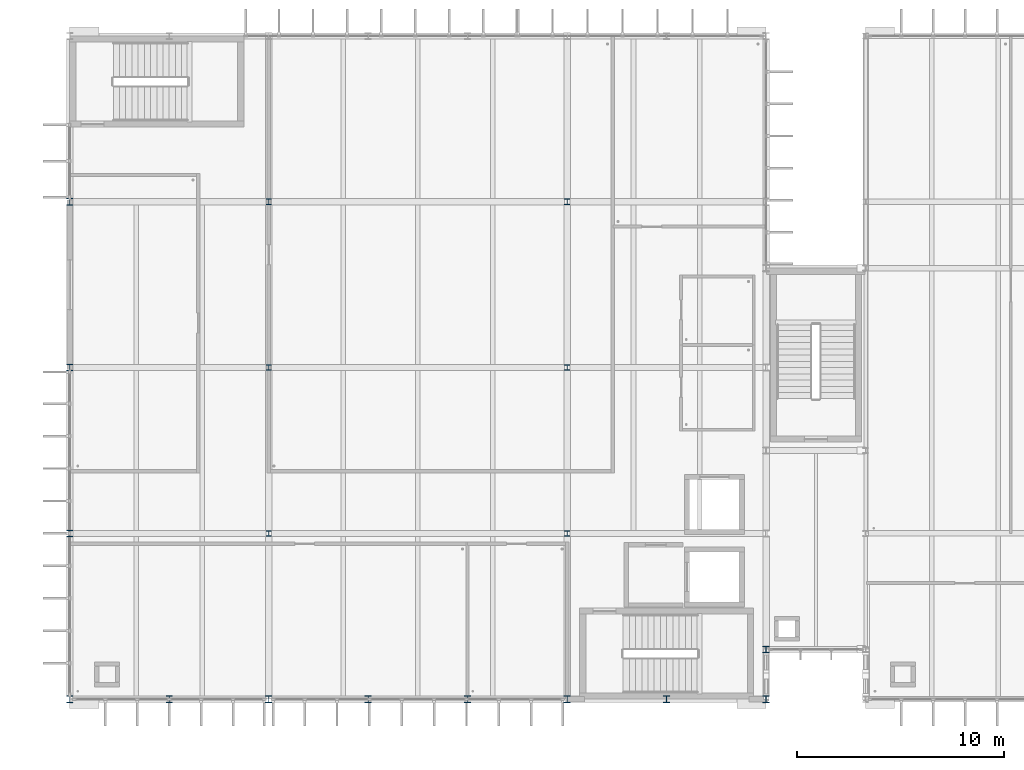
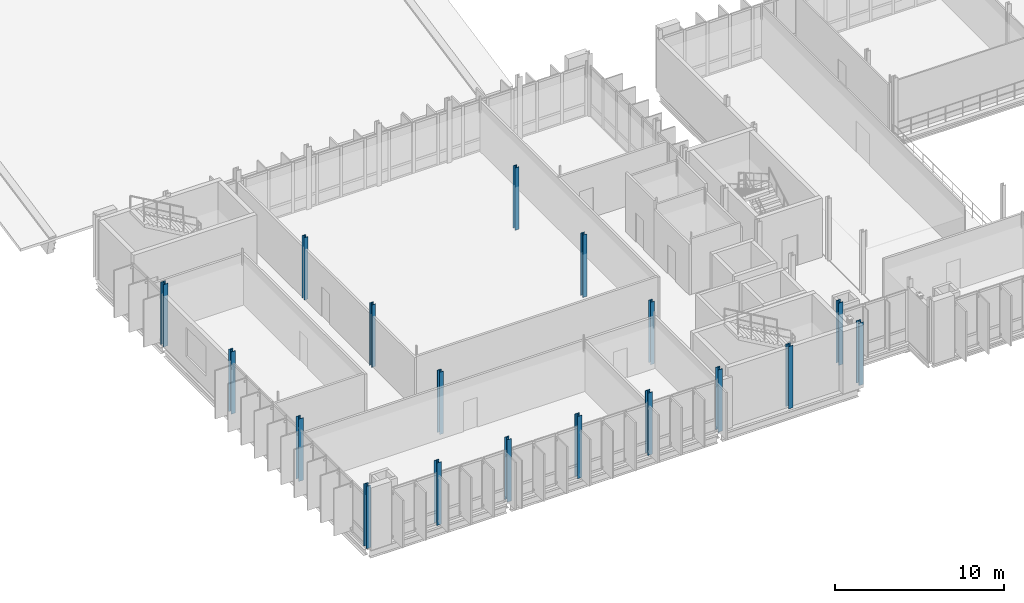
# One storey, part 1 of 59: 18 columns.
"""IFC4 building model written with IfcOpenShell, lengths in metres."""

from ifc_helpers import new_model, si_unit, direction, frame, origin, origin_2d, place, context, subcontext, project, spatial, i_section, extrude, material, material_profile, profile_set, type_object, element, save


model = new_model("IFC4")

# Units and contexts
model_context = context("Model", 3, precision=1e-05, world=origin(), true_north=direction((0.0, 1.0)))
body_context = subcontext(model_context, "Body", "Model", "MODEL_VIEW")
ifc_project = project(units=[si_unit("LENGTHUNIT", "METRE"), si_unit("AREAUNIT", "SQUARE_METRE"), si_unit("VOLUMEUNIT", "CUBIC_METRE"), si_unit("PLANEANGLEUNIT", "RADIAN"), si_unit("MASSUNIT", "GRAM", prefix="KILO")], contexts=[model_context])

# Site, building, storey
site_placement = place(None, origin())
site = spatial("IfcSite", under=ifc_project, at=site_placement, CompositionType="ELEMENT")
building_placement = place(site_placement, origin())
building = spatial("IfcBuilding", under=site, at=building_placement, Name="Dunescarp Central Library", CompositionType="ELEMENT")
storey_placement = place(building_placement, frame((0.0, 0.0, 18.60009765625)))
storey = spatial("IfcBuildingStorey", under=building, at=storey_placement, Name="L04", CompositionType="ELEMENT", Elevation=18.60009765625)

# Columns
ifc_material = material(Name="Steel S355JR", Category="steel")
ifc_material_profile_1 = material_profile(ifc_material, i_section(OverallWidth=0.26123046875, OverallDepth=0.2763671875, WebThickness=0.015380859375, FlangeThickness=0.025390625, at=origin_2d()), Name="UC 254x254x132")
ifc_profile_set_1 = profile_set([ifc_material_profile_1], Name="Steel S355JR")
column_type_1 = type_object("IfcColumnType", Name="STR-COL-UC254X132", PredefinedType="COLUMN", material=ifc_profile_set_1)
for number, where, z_axis, x_axis, name in (
    (1, (9.60009765625, 12.800048828125, 0.0), (0.0, 0.0, 1.0), (1.0, 0.0, 0.0), "L04 column V1I-96-128"),
    (2, (9.60009765625, 20.800048828125, 0.0), (0.0, 0.0, 1.0), (1.0, 0.0, 0.0), "L04 column V1I-96-208"),
    (3, (9.60009765625, 28.800048828125, 0.0), (0.0, 0.0, 1.0), (1.0, 0.0, 0.0), "L04 column V1I-96-288"),
    (4, (24.0, 12.800048828125, 0.0), (0.0, 0.0, 1.0), (1.0, 0.0, 0.0), "L04 column V1I-240-128"),
    (5, (24.0, 20.800048828125, 0.0), (0.0, 0.0, 1.0), (1.0, 0.0, 0.0), "L04 column V1I-240-208"),
    (6, (24.0, 28.800048828125, 0.0), (0.0, 0.0, 1.0), (1.0, 0.0, 0.0), "L04 column V1I-240-288"),
):
    element("IfcColumn", number, at=place(storey_placement, frame(where, z_axis=z_axis, x_axis=x_axis)), inside=storey, type_object=column_type_1, Name=name, PredefinedType="COLUMN", context=body_context, shape_type="SweptSolid", body=[
        extrude(i_section(OverallWidth=0.26123046875, OverallDepth=0.2763671875, WebThickness=0.015380859375, FlangeThickness=0.025390625, at=origin_2d()), origin(), (0.0, 0.0, 1.0), 4.5),
    ])
ifc_material_profile_2 = material_profile(ifc_material, i_section(OverallWidth=0.311279296875, OverallDepth=0.3271484375, WebThickness=0.015869140625, FlangeThickness=0.02490234375, at=origin_2d()), Name="UC 305x305x158")
ifc_profile_set_2 = profile_set([ifc_material_profile_2], Name="Steel S355JR")
column_type_2 = type_object("IfcColumnType", Name="STR-COL-UC305X158", PredefinedType="COLUMN", material=ifc_profile_set_2)
for number, where, z_axis, x_axis, name in (
    (7, (0.0, 4.800048828125, 0.0), (0.0, 0.0, 1.0), (1.0, 0.0, 0.0), "L04 column V1P-0-48"),
    (8, (4.800048828125, 4.800048828125, 0.0), (0.0, 0.0, 1.0), (1.0, 0.0, 0.0), "L04 column V1P-48-48"),
    (9, (9.60009765625, 4.800048828125, 0.0), (0.0, 0.0, 1.0), (1.0, 0.0, 0.0), "L04 column V1P-96-48"),
    (10, (14.39990234375, 4.800048828125, 0.0), (0.0, 0.0, 1.0), (1.0, 0.0, 0.0), "L04 column V1P-144-48"),
    (11, (19.199951171875, 4.800048828125, 0.0), (0.0, 0.0, 1.0), (1.0, 0.0, 0.0), "L04 column V1P-192-48"),
    (12, (24.0, 4.800048828125, 0.0), (0.0, 0.0, 1.0), (1.0, 0.0, 0.0), "L04 column V1P-240-48"),
    (13, (28.800048828125, 4.800048828125, 0.0), (0.0, 0.0, 1.0), (1.0, 0.0, 0.0), "L04 column V1P-288-48"),
    (14, (33.60009765625, 4.800048828125, 0.0), (0.0, 0.0, 1.0), (1.0, 0.0, 0.0), "L04 column V1P-336-48"),
    (15, (0.0, 12.800048828125, 0.0), (0.0, 0.0, 1.0), (1.0, 0.0, 0.0), "L04 column V1P-0-128"),
    (16, (0.0, 20.800048828125, 0.0), (0.0, 0.0, 1.0), (1.0, 0.0, 0.0), "L04 column V1P-0-208"),
    (17, (0.0, 28.800048828125, 0.0), (0.0, 0.0, 1.0), (1.0, 0.0, 0.0), "L04 column V1P-0-288"),
    (18, (33.60009765625, 7.199951171875, 0.0), (0.0, 0.0, 1.0), (1.0, 0.0, 0.0), "L04 column V1P-336-72"),
):
    element("IfcColumn", number, at=place(storey_placement, frame(where, z_axis=z_axis, x_axis=x_axis)), inside=storey, type_object=column_type_2, Name=name, PredefinedType="COLUMN", context=body_context, shape_type="SweptSolid", body=[
        extrude(i_section(OverallWidth=0.311279296875, OverallDepth=0.3271484375, WebThickness=0.015869140625, FlangeThickness=0.02490234375, at=origin_2d()), origin(), (0.0, 0.0, 1.0), 4.5),
    ])

save(model, "model.ifc")
